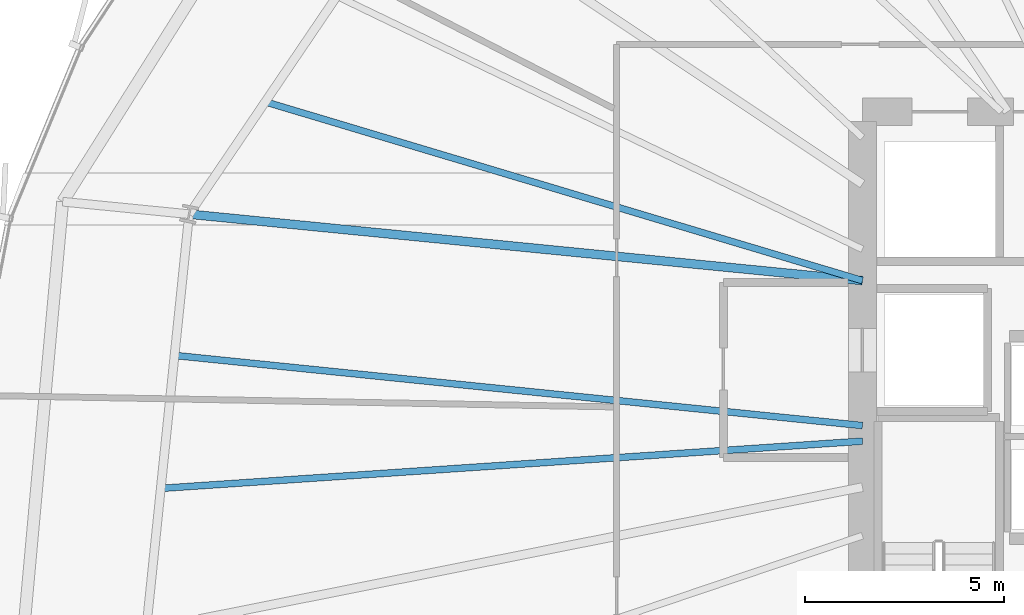
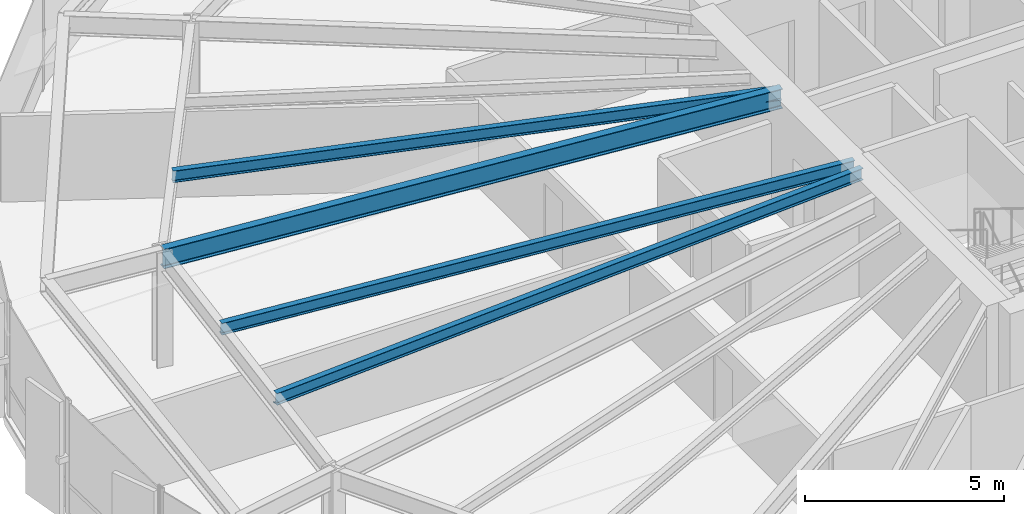
# One storey, part 10 of 37: 4 beams.
"""IFC4 building model written with IfcOpenShell, lengths in metres."""

from ifc_helpers import new_model, si_unit, direction, frame, origin, origin_2d, place, context, subcontext, project, spatial, i_section, extrude, source, transform, mapped, material, material_profile, profile_set, type_object, element, save


model = new_model("IFC4")

# Units and contexts
model_context = context("Model", 3, precision=1e-05, world=origin(), true_north=direction((0.0, 1.0)))
body_context = subcontext(model_context, "Body", "Model", "MODEL_VIEW")
ifc_project = project(units=[si_unit("LENGTHUNIT", "METRE"), si_unit("AREAUNIT", "SQUARE_METRE"), si_unit("VOLUMEUNIT", "CUBIC_METRE"), si_unit("PLANEANGLEUNIT", "RADIAN"), si_unit("MASSUNIT", "GRAM", prefix="KILO"), si_unit("THERMODYNAMICTEMPERATUREUNIT", "KELVIN")], contexts=[model_context])

# Site, building, storey
site_placement = place(None, origin())
site = spatial("IfcSite", under=ifc_project, at=site_placement, CompositionType="ELEMENT")
building_placement = place(site_placement, origin())
building = spatial("IfcBuilding", under=site, at=building_placement, Name="Kethvar Cultural Tower", CompositionType="ELEMENT")
storey_placement = place(building_placement, frame((0.0, 0.0, 60.0)))
storey = spatial("IfcBuildingStorey", under=building, at=storey_placement, Name="L14", CompositionType="ELEMENT", Elevation=60.0)

# Beams
ifc_material = material(Name="Steel S355J2", Category="steel")
ifc_material_profile_1 = material_profile(ifc_material, i_section(OverallWidth=0.219970703125, OverallDepth=0.60009765625, WebThickness=0.011962890625, FlangeThickness=0.01904296875, FilletRadius=0.02392578125, at=origin_2d()), Name="Steel S355J2 — IPE600")
ifc_profile_set_1 = profile_set([ifc_material_profile_1], Name="Steel S355J2 — IPE600")
beam_type_1 = type_object("IfcBeamType", Name="BM-IPE600", PredefinedType="BEAM", material=ifc_profile_set_1)
shared_shape_1 = source(origin(), body_context, "Body", "SweptSolid", [
    extrude(i_section(OverallWidth=0.219970703125, OverallDepth=0.60009765625, WebThickness=0.011962890625, FlangeThickness=0.01904296875, FilletRadius=0.02392578125, at=origin_2d()), origin(), (0.0, 0.0, 1.0), 17.03515625),
])
beam_1_placement = place(storey_placement, frame((38.0, 31.25, 3.248046875), z_axis=(-0.995168138859, 0.098185413375, 0.0), x_axis=(-0.098185413375, -0.995168138859, 0.0)))
element("IfcBeam", 1, at=beam_1_placement, inside=storey, type_object=beam_type_1, Name="L14 Primary Radial Beam RB-08", PredefinedType="BEAM", context=body_context, shape_type="MappedRepresentation", body=[
    mapped(shared_shape_1, transform((0.0, 0.0, 0.0), scale=1.0)),
])
ifc_material_profile_2 = material_profile(ifc_material, i_section(OverallWidth=0.169921875, OverallDepth=0.360107421875, WebThickness=0.008056640625, FlangeThickness=0.0126953125, FilletRadius=0.01806640625, at=origin_2d()), Name="Steel S355J2 — IPE360")
ifc_profile_set_2 = profile_set([ifc_material_profile_2], Name="Steel S355J2 — IPE360")
beam_type_2 = type_object("IfcBeamType", Name="BM-J360", PredefinedType="JOIST", material=ifc_profile_set_2)
shared_shape_2 = source(origin(), body_context, "Body", "SweptSolid", [
    extrude(i_section(OverallWidth=0.169921875, OverallDepth=0.360107421875, WebThickness=0.008056640625, FlangeThickness=0.0126953125, FilletRadius=0.01806640625, at=origin_2d()), origin(), (0.0, 0.0, 1.0), 15.6953125),
])
beam_2_placement = place(storey_placement, frame((38.0, 31.25, 3.367919921875), z_axis=(-0.958003344758, 0.28675702508, 0.0), x_axis=(-0.28675702508, -0.958003344758, 0.0)))
element("IfcBeam", 2, at=beam_2_placement, inside=storey, type_object=beam_type_2, Name="L14 Composite Floor Joist J-07B", PredefinedType="JOIST", context=body_context, shape_type="MappedRepresentation", body=[
    mapped(shared_shape_2, transform((0.0, 0.0, 0.0), scale=1.0)),
])
shared_shape_3 = source(origin(), body_context, "Body", "SweptSolid", [
    extrude(i_section(OverallWidth=0.169921875, OverallDepth=0.360107421875, WebThickness=0.008056640625, FlangeThickness=0.0126953125, FilletRadius=0.01806640625, at=origin_2d()), origin(), (0.0, 0.0, 1.0), 17.410400390625),
])
beam_3_placement = place(storey_placement, frame((38.0, 27.60009765625, 3.367919921875), z_axis=(-0.99484162516, 0.101440331474, 0.0), x_axis=(-0.101440331474, -0.99484162516, 0.0)))
element("IfcBeam", 3, at=beam_3_placement, inside=storey, type_object=beam_type_2, Name="L14 Composite Floor Joist J-08A", PredefinedType="JOIST", context=body_context, shape_type="MappedRepresentation", body=[
    mapped(shared_shape_3, transform((0.0, 0.0, 0.0), scale=1.0)),
])
shared_shape_4 = source(origin(), body_context, "Body", "SweptSolid", [
    extrude(i_section(OverallWidth=0.169921875, OverallDepth=0.360107421875, WebThickness=0.008056640625, FlangeThickness=0.0126953125, FilletRadius=0.01806640625, at=origin_2d()), origin(), (0.0, 0.0, 1.0), 17.70654296875),
])
beam_4_placement = place(storey_placement, frame((38.0, 27.207763671875, 3.367919921875), z_axis=(-0.997742984455, -0.067148618533, 0.0), x_axis=(0.067148618533, -0.997742984455, 0.0)))
element("IfcBeam", 4, at=beam_4_placement, inside=storey, type_object=beam_type_2, Name="L14 Composite Floor Joist J-08B", PredefinedType="JOIST", context=body_context, shape_type="MappedRepresentation", body=[
    mapped(shared_shape_4, transform((0.0, 0.0, 0.0), scale=1.0)),
])

save(model, "model.ifc")
